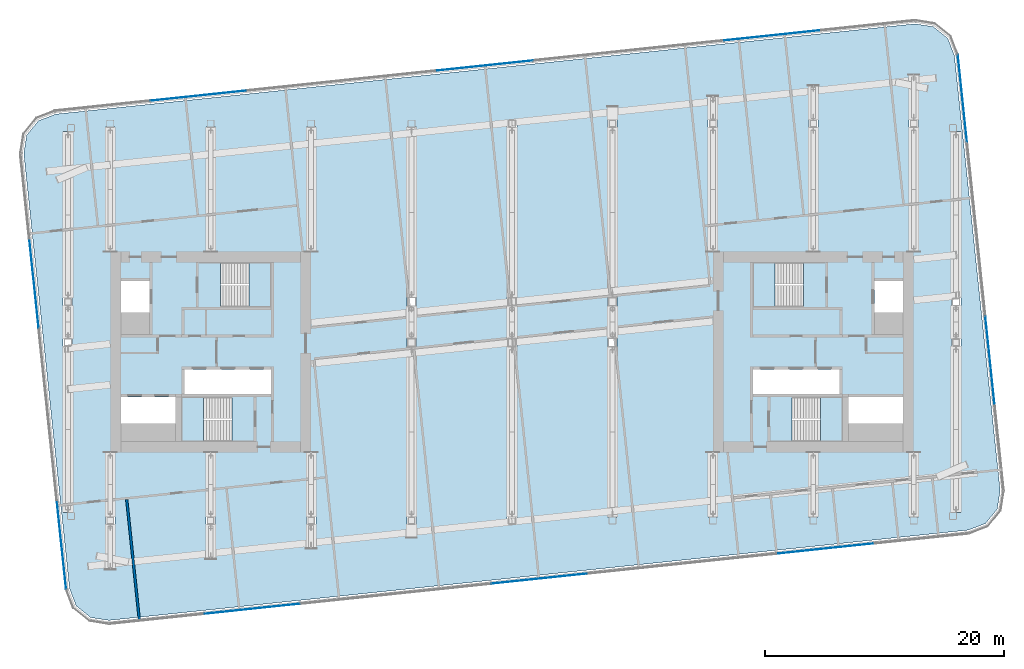
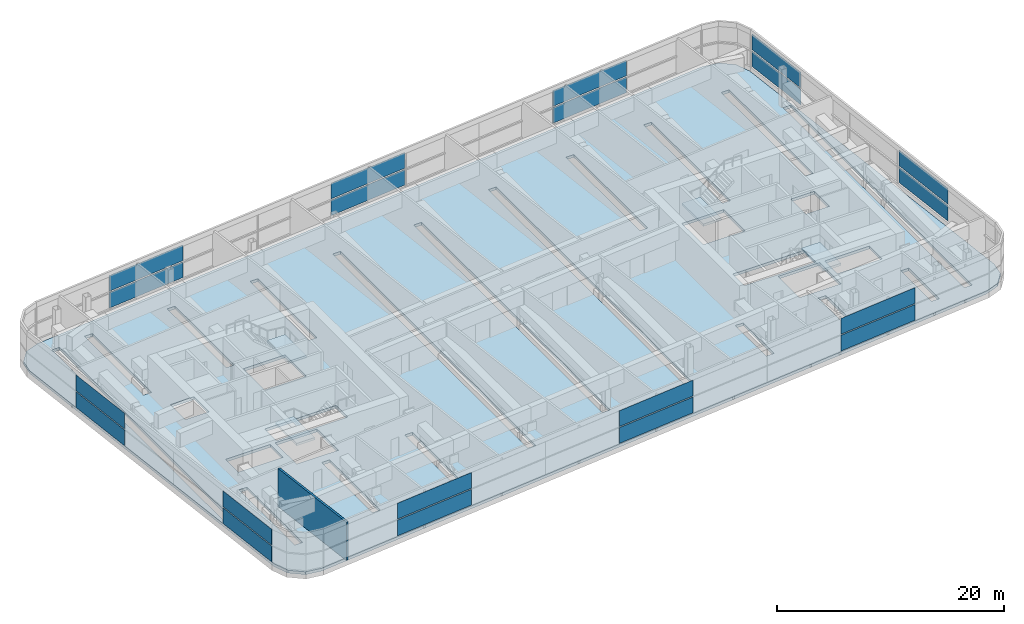
# One storey, part 15 of 33: 20 plates, 5 slabs, 1 wall, 8 elements without a shape of their own.
"""IFC4 building model written with IfcOpenShell, lengths in metres."""

from ifc_helpers import new_model, si_unit, direction, frame, frame_2d, origin, origin_2d, place, context, subcontext, project, spatial, polyline, rectangle, outline, extrude, material, layer, layer_set, type_object, element, aggregate, save


model = new_model("IFC4")

# Units and contexts
model_context = context("Model", 3, precision=1e-05, world=origin(), true_north=direction((0.0, 1.0)))
body_context = subcontext(model_context, "Body", "Model", "MODEL_VIEW")
ifc_project = project(units=[si_unit("LENGTHUNIT", "METRE"), si_unit("AREAUNIT", "SQUARE_METRE"), si_unit("VOLUMEUNIT", "CUBIC_METRE"), si_unit("PLANEANGLEUNIT", "RADIAN"), si_unit("MASSUNIT", "GRAM", prefix="KILO")], contexts=[model_context])

# Site, building, storey
site_placement = place(None, origin())
site = spatial("IfcSite", under=ifc_project, at=site_placement, CompositionType="ELEMENT")
building_placement = place(site_placement, origin())
building = spatial("IfcBuilding", under=site, at=building_placement, Name="Hakoniwa Tower and Hamabe Station Hall", CompositionType="ELEMENT")
storey_placement = place(building_placement, frame((0.0, 0.0, 228.199951171875)))
storey = spatial("IfcBuildingStorey", under=building, at=storey_placement, Name="L65", CompositionType="ELEMENT", Elevation=228.199951171875)

# Stair, slab
ifc_material_1 = material(Name="Concrete C40", Category="concrete")
stair_type = type_object("IfcStairType", Name="ESCAPE STAIR 1800", PredefinedType="HALF_TURN_STAIR", material=ifc_material_1)
stair_1_placement = place(storey_placement, origin())
stair_1 = element("IfcStair", 1, at=stair_1_placement, inside=storey, type_object=stair_type, Name="Escape stair ST-1 L65", PredefinedType="HALF_TURN_STAIR")
ifc_material_2 = material(Name="Concrete C40", Category="concrete")
ifc_layer_1 = layer(ifc_material_2, 0.25)
ifc_layer_set_1 = layer_set([ifc_layer_1], Name="CORE STAIR LANDING 250")
slab_type_1 = type_object("IfcSlabType", Name="CORE STAIR LANDING 250", PredefinedType="LANDING", material=ifc_layer_set_1)
slab_1_placement = place(storey_placement, frame((0.0, 0.0, 1.949951171875)))
slab_1 = element("IfcSlab", 2, at=slab_1_placement, type_object=slab_type_1, Name="ST-1 landing 1", PredefinedType="LANDING", context=body_context, shape_type="SweptSolid", body=[
    extrude(outline(polyline([(-22.0, 3.75), (-20.14990234375, 3.75), (-20.14990234375, 7.5), (-22.0, 7.5), (-22.0, 3.75)])), origin(), (0.0, 0.0, 1.0), 0.25),
])
aggregate(stair_1, [slab_1])

stair_2_placement = place(storey_placement, origin())
stair_2 = element("IfcStair", 3, at=stair_2_placement, inside=storey, type_object=stair_type, Name="Escape stair ST-2 L65", PredefinedType="HALF_TURN_STAIR")
slab_2_placement = place(storey_placement, frame((0.0, 0.0, 1.949951171875)))
slab_2 = element("IfcSlab", 4, at=slab_2_placement, type_object=slab_type_1, Name="ST-2 landing 1", PredefinedType="LANDING", context=body_context, shape_type="SweptSolid", body=[
    extrude(outline(polyline([(-25.800048828125, -7.5), (-27.64990234375, -7.5), (-27.64990234375, -3.75), (-25.800048828125, -3.75), (-25.800048828125, -7.5)])), origin(), (0.0, 0.0, 1.0), 0.25),
])
aggregate(stair_2, [slab_2])

stair_3_placement = place(storey_placement, origin())
stair_3 = element("IfcStair", 5, at=stair_3_placement, inside=storey, type_object=stair_type, Name="Escape stair ST-3 L65", PredefinedType="HALF_TURN_STAIR")
slab_3_placement = place(storey_placement, frame((0.0, 0.0, 1.949951171875)))
slab_3 = element("IfcSlab", 6, at=slab_3_placement, type_object=slab_type_1, Name="ST-3 landing 1", PredefinedType="LANDING", context=body_context, shape_type="SweptSolid", body=[
    extrude(outline(polyline([(22.0, 3.75), (20.14990234375, 3.75), (20.14990234375, 7.5), (22.0, 7.5), (22.0, 3.75)])), origin(), (0.0, 0.0, 1.0), 0.25),
])
aggregate(stair_3, [slab_3])

stair_4_placement = place(storey_placement, origin())
stair_4 = element("IfcStair", 7, at=stair_4_placement, inside=storey, type_object=stair_type, Name="Escape stair ST-4 L65", PredefinedType="HALF_TURN_STAIR")
slab_4_placement = place(storey_placement, frame((0.0, 0.0, 1.949951171875)))
slab_4 = element("IfcSlab", 8, at=slab_4_placement, type_object=slab_type_1, Name="ST-4 landing 1", PredefinedType="LANDING", context=body_context, shape_type="SweptSolid", body=[
    extrude(outline(polyline([(25.800048828125, -7.5), (27.64990234375, -7.5), (27.64990234375, -3.75), (25.800048828125, -3.75), (25.800048828125, -7.5)])), origin(), (0.0, 0.0, 1.0), 0.25),
])
aggregate(stair_4, [slab_4])

# Curtain wall, plates
ifc_material_3 = material(Name="Dark low-e laminated glass", Category="glass")
ifc_layer_2 = layer(ifc_material_3, 0.199951171875)
ifc_layer_set_2 = layer_set([ifc_layer_2], Name="CW-6 PLANT LOUVRE")
curtain_wall_type = type_object("IfcCurtainWallType", Name="CW-6 PLANT LOUVRE", PredefinedType="NOTDEFINED", material=ifc_layer_set_2)
curtain_wall_1_placement = place(storey_placement, origin())
curtain_wall_1 = element("IfcCurtainWall", 9, at=curtain_wall_1_placement, inside=storey, type_object=curtain_wall_type, Name="CW-6 curtain wall", PredefinedType="NOTDEFINED")
ifc_material_4 = material(Name="Dark low-e laminated glass", Category="glass")
ifc_layer_3 = layer(ifc_material_4, 0.028076171875)
ifc_layer_set_3 = layer_set([ifc_layer_3], Name="CW-1 GLASS UNIT")
plate_type = type_object("IfcPlateType", Name="CW-1 GLASS UNIT", PredefinedType="CURTAIN_PANEL", material=ifc_layer_set_3)
plate_1_placement = place(storey_placement, frame((39.97119140625, -0.671142578125, 0.35009765625), z_axis=(0.0, 0.0, 1.0), x_axis=(-0.104528461376, 0.994521895567, 0.0)))
plate_1 = element("IfcPlate", 10, at=plate_1_placement, type_object=plate_type, Name="CW-6 glass unit", PredefinedType="CURTAIN_PANEL", context=body_context, shape_type="SweptSolid", body=[
    extrude(rectangle(XDim=7.31201171875, YDim=0.028076171875, at=origin_2d()), origin(), (0.0, 0.0, 1.0), 1.68994140625),
])
plate_2_placement = place(storey_placement, frame((39.97119140625, -0.671142578125, 2.16015625), z_axis=(0.0, 0.0, 1.0), x_axis=(-0.104528461376, 0.994521895567, 0.0)))
plate_2 = element("IfcPlate", 11, at=plate_2_placement, type_object=plate_type, Name="CW-6 glass unit", PredefinedType="CURTAIN_PANEL", context=body_context, shape_type="SweptSolid", body=[
    extrude(rectangle(XDim=7.31201171875, YDim=0.028076171875, at=origin_2d()), origin(), (0.0, 0.0, 1.0), 1.68994140625),
])
plate_3_placement = place(storey_placement, frame((37.671875, 21.2041015625, 0.35009765625), z_axis=(0.0, 0.0, 1.0), x_axis=(-0.104528461376, 0.994521895567, 0.0)))
plate_3 = element("IfcPlate", 12, at=plate_3_placement, type_object=plate_type, Name="CW-6 glass unit", PredefinedType="CURTAIN_PANEL", context=body_context, shape_type="SweptSolid", body=[
    extrude(rectangle(XDim=7.31201171875, YDim=0.028076171875, at=origin_2d()), origin(), (0.0, 0.0, 1.0), 1.68994140625),
])
plate_4_placement = place(storey_placement, frame((37.671875, 21.2041015625, 2.16015625), z_axis=(0.0, 0.0, 1.0), x_axis=(-0.104528461376, 0.994521895567, 0.0)))
plate_4 = element("IfcPlate", 13, at=plate_4_placement, type_object=plate_type, Name="CW-6 glass unit", PredefinedType="CURTAIN_PANEL", context=body_context, shape_type="SweptSolid", body=[
    extrude(rectangle(XDim=7.31201171875, YDim=0.028076171875, at=origin_2d()), origin(), (0.0, 0.0, 1.0), 1.68994140625),
])
aggregate(curtain_wall_1, [plate_1, plate_2, plate_3, plate_4])

curtain_wall_2_placement = place(storey_placement, origin())
curtain_wall_2 = element("IfcCurtainWall", 14, at=curtain_wall_2_placement, inside=storey, type_object=curtain_wall_type, Name="CW-6 curtain wall", PredefinedType="NOTDEFINED")
plate_5_placement = place(storey_placement, frame((21.728759765625, 26.47900390625, 0.35009765625), z_axis=(0.0, 0.0, 1.0), x_axis=(-0.994521895328, -0.10452846365, 0.0)))
plate_5 = element("IfcPlate", 15, at=plate_5_placement, type_object=plate_type, Name="CW-6 glass unit", PredefinedType="CURTAIN_PANEL", context=body_context, shape_type="SweptSolid", body=[
    extrude(rectangle(XDim=8.018798828125, YDim=0.028076171875, at=origin_2d()), origin(), (0.0, 0.0, 1.0), 1.68994140625),
])
plate_6_placement = place(storey_placement, frame((21.728759765625, 26.47900390625, 2.16015625), z_axis=(0.0, 0.0, 1.0), x_axis=(-0.994521895328, -0.10452846365, 0.0)))
plate_6 = element("IfcPlate", 16, at=plate_6_placement, type_object=plate_type, Name="CW-6 glass unit", PredefinedType="CURTAIN_PANEL", context=body_context, shape_type="SweptSolid", body=[
    extrude(rectangle(XDim=8.018798828125, YDim=0.028076171875, at=origin_2d()), origin(), (0.0, 0.0, 1.0), 1.68994140625),
])
plate_7_placement = place(storey_placement, frame((-2.25537109375, 23.958251953125, 0.35009765625), z_axis=(0.0, 0.0, 1.0), x_axis=(-0.994521895328, -0.10452846365, 0.0)))
plate_7 = element("IfcPlate", 17, at=plate_7_placement, type_object=plate_type, Name="CW-6 glass unit", PredefinedType="CURTAIN_PANEL", context=body_context, shape_type="SweptSolid", body=[
    extrude(rectangle(XDim=8.018798828125, YDim=0.028076171875, at=origin_2d()), origin(), (0.0, 0.0, 1.0), 1.68994140625),
])
plate_8_placement = place(storey_placement, frame((-2.25537109375, 23.958251953125, 2.16015625), z_axis=(0.0, 0.0, 1.0), x_axis=(-0.994521895328, -0.10452846365, 0.0)))
plate_8 = element("IfcPlate", 18, at=plate_8_placement, type_object=plate_type, Name="CW-6 glass unit", PredefinedType="CURTAIN_PANEL", context=body_context, shape_type="SweptSolid", body=[
    extrude(rectangle(XDim=8.018798828125, YDim=0.028076171875, at=origin_2d()), origin(), (0.0, 0.0, 1.0), 1.68994140625),
])
plate_9_placement = place(storey_placement, frame((-26.2392578125, 21.437255859375, 0.35009765625), z_axis=(0.0, 0.0, 1.0), x_axis=(-0.994521895328, -0.10452846365, 0.0)))
plate_9 = element("IfcPlate", 19, at=plate_9_placement, type_object=plate_type, Name="CW-6 glass unit", PredefinedType="CURTAIN_PANEL", context=body_context, shape_type="SweptSolid", body=[
    extrude(rectangle(XDim=8.018798828125, YDim=0.028076171875, at=origin_2d()), origin(), (0.0, 0.0, 1.0), 1.68994140625),
])
plate_10_placement = place(storey_placement, frame((-26.2392578125, 21.437255859375, 2.16015625), z_axis=(0.0, 0.0, 1.0), x_axis=(-0.994521895328, -0.10452846365, 0.0)))
plate_10 = element("IfcPlate", 20, at=plate_10_placement, type_object=plate_type, Name="CW-6 glass unit", PredefinedType="CURTAIN_PANEL", context=body_context, shape_type="SweptSolid", body=[
    extrude(rectangle(XDim=8.018798828125, YDim=0.028076171875, at=origin_2d()), origin(), (0.0, 0.0, 1.0), 1.68994140625),
])
aggregate(curtain_wall_2, [plate_5, plate_6, plate_7, plate_8, plate_9, plate_10])

curtain_wall_3_placement = place(storey_placement, origin())
curtain_wall_3 = element("IfcCurtainWall", 21, at=curtain_wall_3_placement, inside=storey, type_object=curtain_wall_type, Name="CW-6 curtain wall", PredefinedType="NOTDEFINED")
plate_11_placement = place(storey_placement, frame((-39.97119140625, 5.671142578125, 0.35009765625), z_axis=(0.0, 0.0, 1.0), x_axis=(0.104528461376, -0.994521895567, 0.0)))
plate_11 = element("IfcPlate", 22, at=plate_11_placement, type_object=plate_type, Name="CW-6 glass unit", PredefinedType="CURTAIN_PANEL", context=body_context, shape_type="SweptSolid", body=[
    extrude(rectangle(XDim=7.31201171875, YDim=0.028076171875, at=origin_2d()), origin(), (0.0, 0.0, 1.0), 1.68994140625),
])
plate_12_placement = place(storey_placement, frame((-39.97119140625, 5.671142578125, 2.16015625), z_axis=(0.0, 0.0, 1.0), x_axis=(0.104528461376, -0.994521895567, 0.0)))
plate_12 = element("IfcPlate", 23, at=plate_12_placement, type_object=plate_type, Name="CW-6 glass unit", PredefinedType="CURTAIN_PANEL", context=body_context, shape_type="SweptSolid", body=[
    extrude(rectangle(XDim=7.31201171875, YDim=0.028076171875, at=origin_2d()), origin(), (0.0, 0.0, 1.0), 1.68994140625),
])
plate_13_placement = place(storey_placement, frame((-37.671875, -16.2041015625, 0.35009765625), z_axis=(0.0, 0.0, 1.0), x_axis=(0.104528461376, -0.994521895567, 0.0)))
plate_13 = element("IfcPlate", 24, at=plate_13_placement, type_object=plate_type, Name="CW-6 glass unit", PredefinedType="CURTAIN_PANEL", context=body_context, shape_type="SweptSolid", body=[
    extrude(rectangle(XDim=7.31201171875, YDim=0.028076171875, at=origin_2d()), origin(), (0.0, 0.0, 1.0), 1.68994140625),
])
plate_14_placement = place(storey_placement, frame((-37.671875, -16.2041015625, 2.16015625), z_axis=(0.0, 0.0, 1.0), x_axis=(0.104528461376, -0.994521895567, 0.0)))
plate_14 = element("IfcPlate", 25, at=plate_14_placement, type_object=plate_type, Name="CW-6 glass unit", PredefinedType="CURTAIN_PANEL", context=body_context, shape_type="SweptSolid", body=[
    extrude(rectangle(XDim=7.31201171875, YDim=0.028076171875, at=origin_2d()), origin(), (0.0, 0.0, 1.0), 1.68994140625),
])
aggregate(curtain_wall_3, [plate_11, plate_12, plate_13, plate_14])

curtain_wall_4_placement = place(storey_placement, origin())
curtain_wall_4 = element("IfcCurtainWall", 26, at=curtain_wall_4_placement, inside=storey, type_object=curtain_wall_type, Name="CW-6 curtain wall", PredefinedType="NOTDEFINED")
plate_15_placement = place(storey_placement, frame((-21.728759765625, -21.47900390625, 0.35009765625), z_axis=(0.0, 0.0, 1.0), x_axis=(0.994521895328, 0.10452846365, 0.0)))
plate_15 = element("IfcPlate", 27, at=plate_15_placement, type_object=plate_type, Name="CW-6 glass unit", PredefinedType="CURTAIN_PANEL", context=body_context, shape_type="SweptSolid", body=[
    extrude(rectangle(XDim=8.018798828125, YDim=0.028076171875, at=origin_2d()), origin(), (0.0, 0.0, 1.0), 1.68994140625),
])
plate_16_placement = place(storey_placement, frame((-21.728759765625, -21.47900390625, 2.16015625), z_axis=(0.0, 0.0, 1.0), x_axis=(0.994521895328, 0.10452846365, 0.0)))
plate_16 = element("IfcPlate", 28, at=plate_16_placement, type_object=plate_type, Name="CW-6 glass unit", PredefinedType="CURTAIN_PANEL", context=body_context, shape_type="SweptSolid", body=[
    extrude(rectangle(XDim=8.018798828125, YDim=0.028076171875, at=origin_2d()), origin(), (0.0, 0.0, 1.0), 1.68994140625),
])
plate_17_placement = place(storey_placement, frame((2.25537109375, -18.958251953125, 0.35009765625), z_axis=(0.0, 0.0, 1.0), x_axis=(0.994521895328, 0.10452846365, 0.0)))
plate_17 = element("IfcPlate", 29, at=plate_17_placement, type_object=plate_type, Name="CW-6 glass unit", PredefinedType="CURTAIN_PANEL", context=body_context, shape_type="SweptSolid", body=[
    extrude(rectangle(XDim=8.018798828125, YDim=0.028076171875, at=origin_2d()), origin(), (0.0, 0.0, 1.0), 1.68994140625),
])
plate_18_placement = place(storey_placement, frame((2.25537109375, -18.958251953125, 2.16015625), z_axis=(0.0, 0.0, 1.0), x_axis=(0.994521895328, 0.10452846365, 0.0)))
plate_18 = element("IfcPlate", 30, at=plate_18_placement, type_object=plate_type, Name="CW-6 glass unit", PredefinedType="CURTAIN_PANEL", context=body_context, shape_type="SweptSolid", body=[
    extrude(rectangle(XDim=8.018798828125, YDim=0.028076171875, at=origin_2d()), origin(), (0.0, 0.0, 1.0), 1.68994140625),
])
plate_19_placement = place(storey_placement, frame((26.2392578125, -16.437255859375, 0.35009765625), z_axis=(0.0, 0.0, 1.0), x_axis=(0.994521895328, 0.10452846365, 0.0)))
plate_19 = element("IfcPlate", 31, at=plate_19_placement, type_object=plate_type, Name="CW-6 glass unit", PredefinedType="CURTAIN_PANEL", context=body_context, shape_type="SweptSolid", body=[
    extrude(rectangle(XDim=8.018798828125, YDim=0.028076171875, at=origin_2d()), origin(), (0.0, 0.0, 1.0), 1.68994140625),
])
plate_20_placement = place(storey_placement, frame((26.2392578125, -16.437255859375, 2.16015625), z_axis=(0.0, 0.0, 1.0), x_axis=(0.994521895328, 0.10452846365, 0.0)))
plate_20 = element("IfcPlate", 32, at=plate_20_placement, type_object=plate_type, Name="CW-6 glass unit", PredefinedType="CURTAIN_PANEL", context=body_context, shape_type="SweptSolid", body=[
    extrude(rectangle(XDim=8.018798828125, YDim=0.028076171875, at=origin_2d()), origin(), (0.0, 0.0, 1.0), 1.68994140625),
])
aggregate(curtain_wall_4, [plate_15, plate_16, plate_17, plate_18, plate_19, plate_20])

# Slab
ifc_material_5 = material(Name="Concrete C40", Category="concrete")
ifc_layer_4 = layer(ifc_material_5, 0.300048828125)
ifc_layer_set_4 = layer_set([ifc_layer_4], Name="TRANSFER FLOOR SLAB 300")
slab_type_2 = type_object("IfcSlabType", Name="TRANSFER FLOOR SLAB 300", PredefinedType="FLOOR", material=ifc_layer_set_4)
slab_5_placement = place(storey_placement, frame((0.0, 0.0, -0.300048828125)))
element("IfcSlab", 33, at=slab_5_placement, inside=storey, type_object=slab_type_2, Name="Floor slab L65", PredefinedType="FLOOR", context=body_context, shape_type="SweptSolid", body=[
    extrude(outline(polyline([(40.832275390625, -11.599609375), (37.008544921875, 24.781005859375), (36.451904296875, 26.230712890625), (35.2451171875, 27.2080078125), (33.711181640625, 27.45068359375), (-38.162109375, 19.896484375), (-39.612060546875, 19.340087890625), (-40.58935546875, 18.13330078125), (-40.832275390625, 16.599609375), (-37.008544921875, -19.781005859375), (-36.451904296875, -21.230712890625), (-35.2451171875, -22.2080078125), (-33.711181640625, -22.45068359375), (38.162109375, -14.896484375), (39.612060546875, -14.340087890625), (40.58935546875, -13.13330078125), (40.832275390625, -11.599609375)]), holes=[polyline([(-27.39990234375, -3.5), (-27.39990234375, -1.449951171875), (-20.14990234375, -1.449951171875), (-20.14990234375, -3.5), (-27.39990234375, -3.5)]), polyline([(-32.699951171875, 3.300048828125), (-32.699951171875, 5.949951171875), (-30.300048828125, 5.949951171875), (-30.300048828125, 3.300048828125), (-32.699951171875, 3.300048828125)]), polyline([(-32.699951171875, -6.0), (-32.699951171875, -3.75), (-28.14990234375, -3.75), (-28.14990234375, -6.0), (-32.699951171875, -6.0)]), polyline([(-24.389892578125, 3.75), (-24.389892578125, 7.5), (-20.14990234375, 7.5), (-20.14990234375, 3.75), (-24.389892578125, 3.75)]), polyline([(-27.64990234375, -7.5), (-27.64990234375, -3.75), (-23.409912109375, -3.75), (-23.409912109375, -7.5), (-27.64990234375, -7.5)]), polyline([(20.14990234375, -3.5), (20.14990234375, -1.449951171875), (27.39990234375, -1.449951171875), (27.39990234375, -3.5), (20.14990234375, -3.5)]), polyline([(30.300048828125, 3.300048828125), (30.300048828125, 5.949951171875), (32.699951171875, 5.949951171875), (32.699951171875, 3.300048828125), (30.300048828125, 3.300048828125)]), polyline([(28.14990234375, -6.0), (28.14990234375, -3.75), (32.699951171875, -3.75), (32.699951171875, -6.0), (28.14990234375, -6.0)]), polyline([(20.14990234375, 3.75), (20.14990234375, 7.5), (24.389892578125, 7.5), (24.389892578125, 3.75), (20.14990234375, 3.75)]), polyline([(23.409912109375, -7.5), (23.409912109375, -3.75), (27.64990234375, -3.75), (27.64990234375, -7.5), (23.409912109375, -7.5)]), polyline([(-34.0, -18.173095703125), (-34.0, -8.39990234375), (-33.199951171875, -8.39990234375), (-33.199951171875, -18.173095703125), (-34.0, -18.173095703125)]), polyline([(-25.60009765625, -17.2900390625), (-25.60009765625, -8.39990234375), (-24.800048828125, -8.39990234375), (-24.800048828125, -17.2900390625), (-25.60009765625, -17.2900390625)]), polyline([(-17.199951171875, -16.406982421875), (-17.199951171875, -8.39990234375), (-16.39990234375, -8.39990234375), (-16.39990234375, -16.406982421875), (-17.199951171875, -16.406982421875)]), polyline([(-8.800048828125, -15.52392578125), (-8.800048828125, 18.800048828125), (-8.0, 18.800048828125), (-8.0, -15.52392578125), (-8.800048828125, -15.52392578125)]), polyline([(-37.5390625, -13.427978515625), (-37.5390625, 18.427978515625), (-36.739013671875, 18.427978515625), (-36.739013671875, -13.427978515625), (-37.5390625, -13.427978515625)]), polyline([(-0.39990234375, -14.10009765625), (-0.39990234375, 19.10009765625), (0.39990234375, 19.10009765625), (0.39990234375, -14.10009765625), (-0.39990234375, -14.10009765625)]), polyline([(-34.0, 8.39990234375), (-34.0, 18.800048828125), (-33.199951171875, 18.800048828125), (-33.199951171875, 8.39990234375), (-34.0, 8.39990234375)]), polyline([(-25.60009765625, 8.39990234375), (-25.60009765625, 18.800048828125), (-24.800048828125, 18.800048828125), (-24.800048828125, 8.39990234375), (-25.60009765625, 8.39990234375)]), polyline([(-17.199951171875, 8.39990234375), (-17.199951171875, 18.800048828125), (-16.39990234375, 18.800048828125), (-16.39990234375, 8.39990234375), (-17.199951171875, 8.39990234375)]), polyline([(16.39990234375, -13.800048828125), (16.39990234375, -8.39990234375), (17.199951171875, -8.39990234375), (17.199951171875, -13.800048828125), (16.39990234375, -13.800048828125)]), polyline([(24.800048828125, -13.800048828125), (24.800048828125, -8.39990234375), (25.60009765625, -8.39990234375), (25.60009765625, -13.800048828125), (24.800048828125, -13.800048828125)]), polyline([(33.199951171875, -13.800048828125), (33.199951171875, -8.39990234375), (34.0, -8.39990234375), (34.0, -13.800048828125), (33.199951171875, -13.800048828125)]), polyline([(36.739013671875, -13.427978515625), (36.739013671875, 18.427978515625), (37.5390625, 18.427978515625), (37.5390625, -13.427978515625), (36.739013671875, -13.427978515625)]), polyline([(8.0, -13.800048828125), (8.0, 20.52392578125), (8.800048828125, 20.52392578125), (8.800048828125, -13.800048828125), (8.0, -13.800048828125)]), polyline([(16.39990234375, 8.39990234375), (16.39990234375, 21.406982421875), (17.199951171875, 21.406982421875), (17.199951171875, 8.39990234375), (16.39990234375, 8.39990234375)]), polyline([(24.800048828125, 22.2900390625), (25.60009765625, 22.2900390625), (25.60009765625, 8.39990234375), (24.800048828125, 8.39990234375), (24.800048828125, 22.2900390625)]), polyline([(33.199951171875, 23.173095703125), (34.0, 23.173095703125), (34.0, 8.39990234375), (33.199951171875, 8.39990234375), (33.199951171875, 23.173095703125)])]), origin(), (0.0, 0.0, 1.0), 0.300048828125),
])

# Wall
ifc_material_6 = material(Name="Fire-rated gypsum board partition", Category="gypsum")
ifc_layer_5 = layer(ifc_material_6, 0.199951171875)
ifc_layer_set_5 = layer_set([ifc_layer_5], Name="Party Wall 200")
wall_type = type_object("IfcWallType", Name="Party Wall 200", PredefinedType="PARTITIONING", material=ifc_layer_set_5)
wall_placement = place(storey_placement, frame((-31.1591796875, -22.484375, 0.0), z_axis=(0.0, 0.0, 1.0), x_axis=(-0.104532871322, 0.994521432053, 0.0)))
element("IfcWall", 34, at=wall_placement, inside=storey, type_object=wall_type, Name="GW-L65-007", PredefinedType="PARTITIONING", context=body_context, shape_type="SweptSolid", body=[
    extrude(rectangle(XDim=10.206298828125, YDim=0.199951171875, at=frame_2d((5.10302734375, 0.0))), origin(), (0.0, 0.0, 1.0), 4.10009765625),
])

save(model, "model.ifc")
